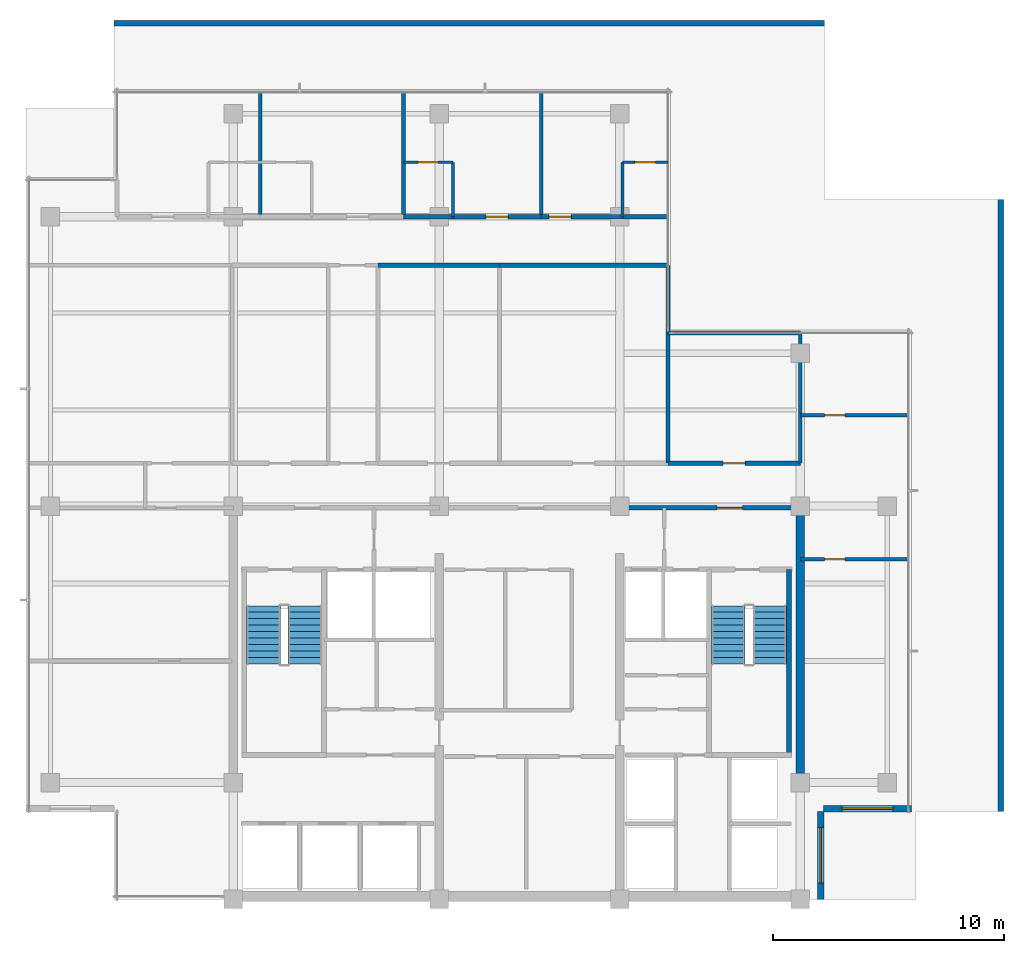
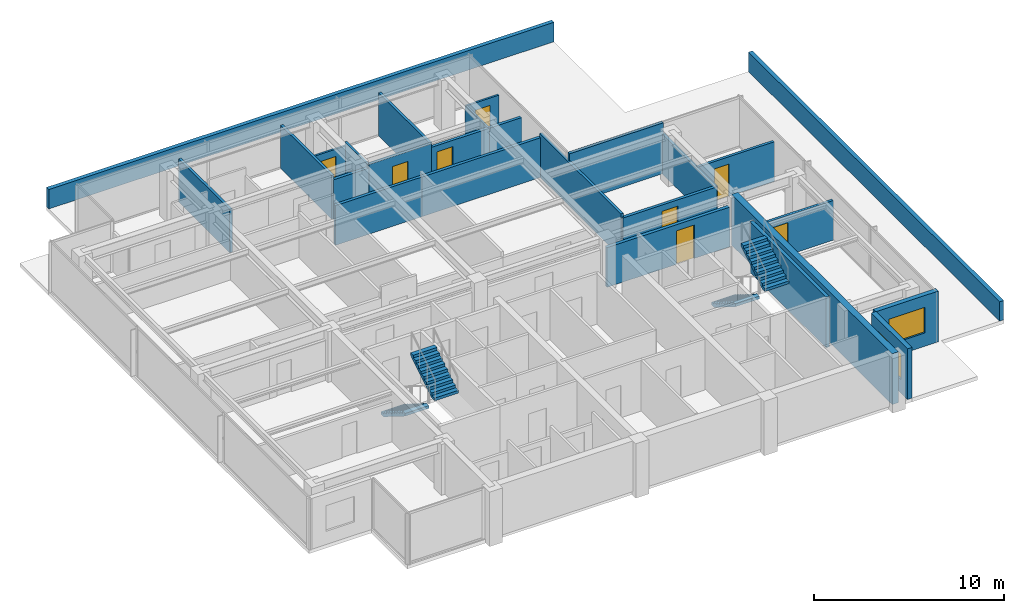
# One storey, part 8 of 11: 26 walls, 8 doors, 4 stair flights, 2 windows, 10 openings, 2 elements without a shape of their own.
"""IFC4 building model written with IfcOpenShell, lengths in metres."""

from ifc_helpers import new_model, si_unit, direction, frame, frame_2d, origin, place, context, subcontext, project, spatial, polyline, rectangle, outline, extrude, material, layer, layer_set, type_object, element, fill, aggregate, save


model = new_model("IFC4")

# Units and contexts
model_context = context("Model", 3, precision=1e-05, world=origin(), true_north=direction((0.0, 1.0)))
body_context = subcontext(model_context, "Body", "Model", "MODEL_VIEW")
ifc_project = project(units=[si_unit("LENGTHUNIT", "METRE"), si_unit("AREAUNIT", "SQUARE_METRE"), si_unit("VOLUMEUNIT", "CUBIC_METRE"), si_unit("PLANEANGLEUNIT", "RADIAN"), si_unit("MASSUNIT", "GRAM", prefix="KILO")], contexts=[model_context])

# Site, building, storey
site_placement = place(None, origin())
site = spatial("IfcSite", under=ifc_project, at=site_placement, CompositionType="ELEMENT")
building_placement = place(site_placement, origin())
building = spatial("IfcBuilding", under=site, at=building_placement, Name="Qalmaran Belvedere Hotel", CompositionType="ELEMENT")
storey_placement = place(building_placement, frame((0.0, 0.0, 238.89990234375)))
storey = spatial("IfcBuildingStorey", under=building, at=storey_placement, Name="L61", CompositionType="ELEMENT", Elevation=238.89990234375)

# Wall
ifc_material_1 = material(Name="Concrete C50/60", Category="concrete")
ifc_layer_1 = layer(ifc_material_1, 0.3798828125, Name="Concrete C50/60")
ifc_layer_set_1 = layer_set([ifc_layer_1], Name="Concrete C50/60")
wall_type_1 = type_object("IfcWallType", Name="WL-CORE-380-C50", PredefinedType="SHEAR", material=ifc_layer_set_1)
wall_1_placement = place(storey_placement, frame((44.800048828125, 3.5, 0.0), z_axis=(0.0, 0.0, 1.0), x_axis=(0.0, 1.0, 0.0)))
element("IfcWall", 1, at=wall_1_placement, inside=storey, type_object=wall_type_1, Name="L61 East Core Shear Wall", PredefinedType="SHEAR", context=body_context, shape_type="SweptSolid", body=[
    extrude(rectangle(XDim=16.89990234375, YDim=0.3798828125, at=frame_2d((8.449951171875, 0.0))), origin(), (0.0, 0.0, 1.0), 3.260009765625),
])

# Wall, opening, window
ifc_material_2 = material(Name="Anodised Bronze Cladding")
ifc_layer_2 = layer(ifc_material_2, 0.280029296875, Name="Anodised Bronze Cladding")
ifc_layer_set_2 = layer_set([ifc_layer_2], Name="Anodised Bronze Cladding")
wall_type_2 = type_object("IfcWallType", Name="WL-EXT-BRNZ-280", PredefinedType="SOLIDWALL", material=ifc_layer_set_2)
wall_2_placement = place(storey_placement, frame((45.679931640625, 3.5, 0.0), z_axis=(0.0, 0.0, 1.0), x_axis=(0.0, 1.0, 0.0)))
wall_2 = element("IfcWall", 2, at=wall_2_placement, inside=storey, type_object=wall_type_2, Name="L61 Corner Notch Wall 1", PredefinedType="SOLIDWALL", context=body_context, shape_type="SweptSolid", body=[
    extrude(rectangle(XDim=3.800048828125, YDim=0.280029296875, at=frame_2d((1.89990234375, 0.0))), origin(), (0.0, 0.0, 1.0), 3.260009765625),
])
opening_1_placement = place(wall_2_placement, frame((0.699951171875, 0.0, 0.85009765625)))
opening_1 = element("IfcOpeningElement", 3, at=opening_1_placement, cuts=wall_2, Name="Opening W-N24", PredefinedType="OPENING", context=body_context, shape_type="SweptSolid", body=[
    extrude(rectangle(XDim=2.39990234375, YDim=1.64990234375, at=frame_2d((1.199951171875, 0.824951171875))), frame((0.0, 0.14990234375, 0.0), z_axis=(0.0, -1.0, 0.0), x_axis=(1.0, 0.0, 0.0)), (0.0, 0.0, 1.0), 0.300048828125),
])
ifc_material_3 = material(Name="Solar-Control Double Glazing", Category="glass")
window_type_1 = type_object("IfcWindowType", Name="WN-NTC-2400X1650", PartitioningType="SINGLE_PANEL", PredefinedType="WINDOW", material=ifc_material_3)
window_1_placement = place(opening_1_placement, origin())
window_1 = element("IfcWindow", 4, at=window_1_placement, inside=storey, type_object=window_type_1, Name="L61 Corner Notch Window 1", OverallHeight=1.64990234375, OverallWidth=2.39990234375, PartitioningType="SINGLE_PANEL", PredefinedType="WINDOW", context=body_context, shape_type="SweptSolid", body=[
    extrude(rectangle(XDim=2.39990234375, YDim=1.64990234375, at=frame_2d((1.199951171875, 0.824951171875))), frame((0.0, 0.030029296875, 0.0), z_axis=(0.0, -1.0, 0.0), x_axis=(1.0, 0.0, 0.0)), (0.0, 0.0, 1.0), 0.06005859375),
])
fill(opening_1, window_1)

wall_3_placement = place(storey_placement, frame((45.800048828125, 7.419921875, 0.0), z_axis=(0.0, 0.0, 1.0), x_axis=(1.0, 0.0, 0.0)))
wall_3 = element("IfcWall", 5, at=wall_3_placement, inside=storey, type_object=wall_type_2, Name="L61 Corner Notch Wall 2", PredefinedType="SOLIDWALL", context=body_context, shape_type="SweptSolid", body=[
    extrude(rectangle(XDim=3.800048828125, YDim=0.280029296875, at=frame_2d((1.89990234375, 0.0))), origin(), (0.0, 0.0, 1.0), 3.260009765625),
])
opening_2_placement = place(wall_3_placement, frame((0.800048828125, 0.0, 0.85009765625)))
opening_2 = element("IfcOpeningElement", 6, at=opening_2_placement, cuts=wall_3, Name="Opening W-N22", PredefinedType="OPENING", context=body_context, shape_type="SweptSolid", body=[
    extrude(rectangle(XDim=2.199951171875, YDim=1.64990234375, at=frame_2d((1.10009765625, 0.824951171875))), frame((0.0, 0.14990234375, 0.0), z_axis=(0.0, -1.0, 0.0), x_axis=(1.0, 0.0, 0.0)), (0.0, 0.0, 1.0), 0.300048828125),
])
window_type_2 = type_object("IfcWindowType", Name="WN-NTC-2200X1650", PartitioningType="SINGLE_PANEL", PredefinedType="WINDOW", material=ifc_material_3)
window_2_placement = place(opening_2_placement, origin())
window_2 = element("IfcWindow", 7, at=window_2_placement, inside=storey, type_object=window_type_2, Name="L61 Corner Notch Window 2", OverallHeight=1.64990234375, OverallWidth=2.199951171875, PartitioningType="SINGLE_PANEL", PredefinedType="WINDOW", context=body_context, shape_type="SweptSolid", body=[
    extrude(rectangle(XDim=2.199951171875, YDim=1.64990234375, at=frame_2d((1.10009765625, 0.824951171875))), frame((0.0, 0.030029296875, 0.0), z_axis=(0.0, -1.0, 0.0), x_axis=(1.0, 0.0, 0.0)), (0.0, 0.0, 1.0), 0.06005859375),
])
fill(opening_2, window_2)

# Wall, opening, door
ifc_material_4 = material(Name="Moisture-Resistant Gypsum")
ifc_layer_3 = layer(ifc_material_4, 0.1201171875, Name="Moisture-Resistant Gypsum")
ifc_layer_set_3 = layer_set([ifc_layer_3], Name="Moisture-Resistant Gypsum")
wall_type_3 = type_object("IfcWallType", Name="WL-INT-120-BATH", PredefinedType="PARTITIONING", material=ifc_layer_set_3)
wall_4_placement = place(storey_placement, frame((27.651123046875, 35.35009765625, 0.0), z_axis=(0.0, 0.0, 1.0), x_axis=(1.0, 0.0, 0.0)))
wall_4 = element("IfcWall", 8, at=wall_4_placement, inside=storey, type_object=wall_type_3, Name="L61 Partition WL-L61-NBN02", PredefinedType="PARTITIONING", context=body_context, shape_type="SweptSolid", body=[
    extrude(rectangle(XDim=2.14013671875, YDim=0.1201171875, at=frame_2d((1.070068359375, 0.0))), origin(), (0.0, 0.0, 1.0), 2.550048828125),
])
opening_3_placement = place(wall_4_placement, frame((1.509765625, 0.0, 0.0), z_axis=(0.0, 0.0, 1.0), x_axis=(-1.0, 0.0, 0.0)))
opening_3 = element("IfcOpeningElement", 9, at=opening_3_placement, cuts=wall_4, Name="Opening D-BATH", PredefinedType="OPENING", context=body_context, shape_type="SweptSolid", body=[
    extrude(rectangle(XDim=0.8798828125, YDim=2.080078125, at=frame_2d((0.43994140625, 1.0400390625))), frame((0.0, 0.070068359375, 0.0), z_axis=(0.0, -1.0, 0.0), x_axis=(1.0, 0.0, 0.0)), (0.0, 0.0, 1.0), 0.14013671875),
])
ifc_material_5 = material(Name="Engineered Oak Veneer")
door_type_1 = type_object("IfcDoorType", Name="DR-INT-BATH-880X2080", OperationType="NOTDEFINED", PredefinedType="DOOR", material=ifc_material_5)
door_1_placement = place(opening_3_placement, origin())
door_1 = element("IfcDoor", 10, at=door_1_placement, inside=storey, type_object=door_type_1, Name="L61 Ensuite Bathroom Door N03", OperationType="SINGLE_SWING_LEFT", OverallHeight=2.080078125, OverallWidth=0.8798828125, PredefinedType="DOOR", context=body_context, shape_type="SweptSolid", body=[
    extrude(rectangle(XDim=0.8798828125, YDim=2.080078125, at=frame_2d((0.43994140625, 1.0400390625))), frame((0.0, 0.02490234375, 0.0), z_axis=(0.0, -1.0, 0.0), x_axis=(1.0, 0.0, 0.0)), (0.0, 0.0, 1.0), 0.050048828125),
])
fill(opening_3, door_1)

# Wall
wall_5_placement = place(storey_placement, frame((29.791259765625, 33.0, 0.0), z_axis=(0.0, 0.0, 1.0), x_axis=(0.0, 1.0, 0.0)))
element("IfcWall", 11, at=wall_5_placement, inside=storey, type_object=wall_type_3, Name="L61 Partition WL-L61-NBS02", PredefinedType="PARTITIONING", context=body_context, shape_type="SweptSolid", body=[
    extrude(rectangle(XDim=2.35009765625, YDim=0.1201171875, at=frame_2d((1.175048828125, 0.0))), origin(), (0.0, 0.0, 1.0), 2.781982421875),
])

# Wall, opening, door
wall_6_placement = place(storey_placement, frame((37.110107421875, 35.35009765625, 0.0), z_axis=(0.0, 0.0, 1.0), x_axis=(1.0, 0.0, 0.0)))
wall_6 = element("IfcWall", 12, at=wall_6_placement, inside=storey, type_object=wall_type_3, Name="L61 Partition WL-L61-NBN03", PredefinedType="PARTITIONING", context=body_context, shape_type="SweptSolid", body=[
    extrude(rectangle(XDim=1.969970703125, YDim=0.1201171875, at=frame_2d((0.98486328125, 0.0))), origin(), (0.0, 0.0, 1.0), 2.550048828125),
])
opening_4_placement = place(wall_6_placement, frame((1.4248046875, 0.0, 0.0), z_axis=(0.0, 0.0, 1.0), x_axis=(-1.0, 0.0, 0.0)))
opening_4 = element("IfcOpeningElement", 13, at=opening_4_placement, cuts=wall_6, Name="Opening D-BATH", PredefinedType="OPENING", context=body_context, shape_type="SweptSolid", body=[
    extrude(rectangle(XDim=0.8798828125, YDim=2.080078125, at=frame_2d((0.43994140625, 1.0400390625))), frame((0.0, 0.070068359375, 0.0), z_axis=(0.0, -1.0, 0.0), x_axis=(1.0, 0.0, 0.0)), (0.0, 0.0, 1.0), 0.14013671875),
])
door_2_placement = place(opening_4_placement, origin())
door_2 = element("IfcDoor", 14, at=door_2_placement, inside=storey, type_object=door_type_1, Name="L61 Ensuite Bathroom Door N04", OperationType="SINGLE_SWING_LEFT", OverallHeight=2.080078125, OverallWidth=0.8798828125, PredefinedType="DOOR", context=body_context, shape_type="SweptSolid", body=[
    extrude(rectangle(XDim=0.8798828125, YDim=2.080078125, at=frame_2d((0.43994140625, 1.0400390625))), frame((0.0, 0.02490234375, 0.0), z_axis=(0.0, -1.0, 0.0), x_axis=(1.0, 0.0, 0.0)), (0.0, 0.0, 1.0), 0.050048828125),
])
fill(opening_4, door_2)

# Wall
wall_7_placement = place(storey_placement, frame((37.110107421875, 33.0, 0.0), z_axis=(0.0, 0.0, 1.0), x_axis=(0.0, 1.0, 0.0)))
element("IfcWall", 15, at=wall_7_placement, inside=storey, type_object=wall_type_3, Name="L61 Partition WL-L61-NBS03", PredefinedType="PARTITIONING", context=body_context, shape_type="SweptSolid", body=[
    extrude(rectangle(XDim=2.35009765625, YDim=0.1201171875, at=frame_2d((1.175048828125, 0.0))), origin(), (0.0, 0.0, 1.0), 2.550048828125),
])

# Wall, opening, door
ifc_material_6 = material(Name="Gypsum Stud Partition")
ifc_layer_4 = layer(ifc_material_6, 0.159912109375, Name="Gypsum Stud Partition")
ifc_layer_set_4 = layer_set([ifc_layer_4], Name="Gypsum Stud Partition")
wall_type_4 = type_object("IfcWallType", Name="WL-INT-160-EI60", PredefinedType="PARTITIONING", material=ifc_layer_set_4)
wall_8_placement = place(storey_placement, frame((44.800048828125, 18.199951171875, 0.0), z_axis=(0.0, 0.0, 1.0), x_axis=(1.0, 0.0, 0.0)))
wall_8 = element("IfcWall", 16, at=wall_8_placement, inside=storey, type_object=wall_type_4, Name="L61 Partition WL-L61-C4EES", PredefinedType="PARTITIONING", context=body_context, shape_type="SweptSolid", body=[
    extrude(rectangle(XDim=4.679931640625, YDim=0.159912109375, at=frame_2d((2.33984375, 0.0))), origin(), (0.0, 0.0, 1.0), 2.550048828125),
])
opening_5_placement = place(wall_8_placement, frame((1.929931640625, 0.0, 0.0), z_axis=(0.0, 0.0, 1.0), x_axis=(-1.0, 0.0, 0.0)))
opening_5 = element("IfcOpeningElement", 17, at=opening_5_placement, cuts=wall_8, Name="Opening FD60B", PredefinedType="OPENING", context=body_context, shape_type="SweptSolid", body=[
    extrude(rectangle(XDim=0.8798828125, YDim=2.080078125, at=frame_2d((0.43994140625, 1.0400390625))), frame((0.0, 0.08984375, 0.0), z_axis=(0.0, -1.0, 0.0), x_axis=(1.0, 0.0, 0.0)), (0.0, 0.0, 1.0), 0.179931640625),
])
ifc_material_7 = material(Name="Steel S355JR", Category="steel")
door_type_2 = type_object("IfcDoorType", Name="DR-FD60B-880X2080", OperationType="NOTDEFINED", PredefinedType="DOOR", material=ifc_material_7)
door_3_placement = place(opening_5_placement, origin())
door_3 = element("IfcDoor", 18, at=door_3_placement, inside=storey, type_object=door_type_2, Name="L61 East Reading Door", OperationType="SINGLE_SWING_LEFT", OverallHeight=2.080078125, OverallWidth=0.8798828125, PredefinedType="DOOR", context=body_context, shape_type="SweptSolid", body=[
    extrude(rectangle(XDim=0.8798828125, YDim=2.080078125, at=frame_2d((0.43994140625, 1.0400390625))), frame((0.0, 0.02490234375, 0.0), z_axis=(0.0, -1.0, 0.0), x_axis=(1.0, 0.0, 0.0)), (0.0, 0.0, 1.0), 0.050048828125),
])
fill(opening_5, door_3)

wall_9_placement = place(storey_placement, frame((44.800048828125, 24.419921875, 0.0), z_axis=(0.0, 0.0, 1.0), x_axis=(1.0, 0.0, 0.0)))
wall_9 = element("IfcWall", 19, at=wall_9_placement, inside=storey, type_object=wall_type_4, Name="L61 Partition WL-L61-C4EEN", PredefinedType="PARTITIONING", context=body_context, shape_type="SweptSolid", body=[
    extrude(rectangle(XDim=4.679931640625, YDim=0.159912109375, at=frame_2d((2.33984375, 0.0))), origin(), (0.0, 0.0, 1.0), 2.550048828125),
])
opening_6_placement = place(wall_9_placement, frame((1.050048828125, 0.0, 0.0)))
opening_6 = element("IfcOpeningElement", 20, at=opening_6_placement, cuts=wall_9, Name="Opening FD60B", PredefinedType="OPENING", context=body_context, shape_type="SweptSolid", body=[
    extrude(rectangle(XDim=0.8798828125, YDim=2.080078125, at=frame_2d((0.43994140625, 1.0400390625))), frame((0.0, 0.08984375, 0.0), z_axis=(0.0, -1.0, 0.0), x_axis=(1.0, 0.0, 0.0)), (0.0, 0.0, 1.0), 0.179931640625),
])
door_4_placement = place(opening_6_placement, origin())
door_4 = element("IfcDoor", 21, at=door_4_placement, inside=storey, type_object=door_type_2, Name="L61 East Study Door", OperationType="SINGLE_SWING_RIGHT", OverallHeight=2.080078125, OverallWidth=0.8798828125, PredefinedType="DOOR", context=body_context, shape_type="SweptSolid", body=[
    extrude(rectangle(XDim=0.8798828125, YDim=2.080078125, at=frame_2d((0.43994140625, 1.0400390625))), frame((0.0, 0.02490234375, 0.0), z_axis=(0.0, -1.0, 0.0), x_axis=(1.0, 0.0, 0.0)), (0.0, 0.0, 1.0), 0.050048828125),
])
fill(opening_6, door_4)

# Walls
wall_10_placement = place(storey_placement, frame((39.080078125, 22.35009765625, 0.0), z_axis=(0.0, 0.0, 1.0), x_axis=(0.0, 1.0, 0.0)))
element("IfcWall", 22, at=wall_10_placement, inside=storey, type_object=wall_type_4, Name="L61 Partition WL-L61-C4MEVR2", PredefinedType="PARTITIONING", context=body_context, shape_type="SweptSolid", body=[
    extrude(rectangle(XDim=8.5498046875, YDim=0.159912109375, at=frame_2d((4.27490234375, 0.0))), origin(), (0.0, 0.0, 1.0), 2.781982421875),
])
wall_11_placement = place(storey_placement, frame((44.800048828125, 22.35009765625, 0.0), z_axis=(0.0, 0.0, 1.0), x_axis=(0.0, 1.0, 0.0)))
element("IfcWall", 23, at=wall_11_placement, inside=storey, type_object=wall_type_4, Name="L61 Partition WL-L61-C4MFVR1", PredefinedType="PARTITIONING", context=body_context, shape_type="SweptSolid", body=[
    extrude(rectangle(XDim=5.6298828125, YDim=0.159912109375, at=frame_2d((2.81494140625, 0.0))), origin(), (0.0, 0.0, 1.0), 2.550048828125),
])
for number, where, z_axis, x_axis, name in (
    (24, (21.460693359375, 33.0, 0.0), (0.0, 0.0, 1.0), (0.0, 1.0, 0.0), "L61 Partition WL-L61-NUR00"),
    (25, (27.651123046875, 33.0, 0.0), (0.0, 0.0, 1.0), (0.0, 1.0, 0.0), "L61 Partition WL-L61-NUR01"),
    (26, (33.603759765625, 33.0, 0.0), (0.0, 0.0, 1.0), (0.0, 1.0, 0.0), "L61 Partition WL-L61-NUR02"),
):
    element("IfcWall", number, at=place(storey_placement, frame(where, z_axis=z_axis, x_axis=x_axis)), inside=storey, type_object=wall_type_4, Name=name, PredefinedType="PARTITIONING", context=body_context, shape_type="SweptSolid", body=[
        extrude(rectangle(XDim=5.3798828125, YDim=0.159912109375, at=frame_2d((2.68994140625, 0.0))), origin(), (0.0, 0.0, 1.0), 2.781982421875),
    ])
ifc_layer_5 = layer(ifc_material_6, 0.179931640625, Name="Gypsum Stud Partition")
ifc_layer_set_5 = layer_set([ifc_layer_5], Name="Gypsum Stud Partition")
wall_type_5 = type_object("IfcWallType", Name="WL-INT-180-EI60", PredefinedType="PARTITIONING", material=ifc_layer_set_5)
wall_12_placement = place(storey_placement, frame((26.550048828125, 30.89990234375, 0.0), z_axis=(0.0, 0.0, 1.0), x_axis=(1.0, 0.0, 0.0)))
element("IfcWall", 27, at=wall_12_placement, inside=storey, type_object=wall_type_5, Name="L61 Partition WL-L61-C4MEO1", PredefinedType="PARTITIONING", context=body_context, shape_type="SweptSolid", body=[
    extrude(rectangle(XDim=5.25, YDim=0.179931640625, at=frame_2d((2.625, 0.0))), origin(), (0.0, 0.0, 1.0), 2.550048828125),
])
wall_13_placement = place(storey_placement, frame((31.800048828125, 30.89990234375, 0.0), z_axis=(0.0, 0.0, 1.0), x_axis=(1.0, 0.0, 0.0)))
element("IfcWall", 28, at=wall_13_placement, inside=storey, type_object=wall_type_5, Name="L61 Partition WL-L61-C4MEO2", PredefinedType="PARTITIONING", context=body_context, shape_type="SweptSolid", body=[
    extrude(rectangle(XDim=7.280029296875, YDim=0.179931640625, at=frame_2d((3.64013671875, 0.0))), origin(), (0.0, 0.0, 1.0), 2.550048828125),
])

# Wall, opening, door
wall_14_placement = place(storey_placement, frame((39.080078125, 22.35009765625, 0.0), z_axis=(0.0, 0.0, 1.0), x_axis=(1.0, 0.0, 0.0)))
wall_14 = element("IfcWall", 29, at=wall_14_placement, inside=storey, type_object=wall_type_5, Name="L61 Partition WL-L61-C4MFD1", PredefinedType="PARTITIONING", context=body_context, shape_type="SweptSolid", body=[
    extrude(rectangle(XDim=5.719970703125, YDim=0.179931640625, at=frame_2d((2.85986328125, 0.0))), origin(), (0.0, 0.0, 1.0), 2.550048828125),
])
opening_7_placement = place(wall_14_placement, frame((2.385009765625, 0.0, 0.0)))
opening_7 = element("IfcOpeningElement", 30, at=opening_7_placement, cuts=wall_14, Name="Opening FD60", PredefinedType="OPENING", context=body_context, shape_type="SweptSolid", body=[
    extrude(rectangle(XDim=0.949951171875, YDim=2.14990234375, at=frame_2d((0.47509765625, 1.074951171875))), frame((0.0, 0.10009765625, 0.0), z_axis=(0.0, -1.0, 0.0), x_axis=(1.0, 0.0, 0.0)), (0.0, 0.0, 1.0), 0.199951171875),
])
door_type_3 = type_object("IfcDoorType", Name="DR-FD60-950X2150", OperationType="NOTDEFINED", PredefinedType="DOOR", material=ifc_material_5)
door_5_placement = place(opening_7_placement, origin())
door_5 = element("IfcDoor", 31, at=door_5_placement, inside=storey, type_object=door_type_3, Name="L61 Tea Lounge Door", OperationType="SINGLE_SWING_RIGHT", OverallHeight=2.14990234375, OverallWidth=0.949951171875, PredefinedType="DOOR", context=body_context, shape_type="SweptSolid", body=[
    extrude(rectangle(XDim=0.949951171875, YDim=2.14990234375, at=frame_2d((0.47509765625, 1.074951171875))), frame((0.0, 0.02490234375, 0.0), z_axis=(0.0, -1.0, 0.0), x_axis=(1.0, 0.0, 0.0)), (0.0, 0.0, 1.0), 0.050048828125),
])
fill(opening_7, door_5)

# Walls
wall_15_placement = place(storey_placement, frame((39.080078125, 27.97998046875, 0.0), z_axis=(0.0, 0.0, 1.0), x_axis=(1.0, 0.0, 0.0)))
element("IfcWall", 32, at=wall_15_placement, inside=storey, type_object=wall_type_5, Name="L61 Partition WL-L61-C4MFO1", PredefinedType="PARTITIONING", context=body_context, shape_type="SweptSolid", body=[
    extrude(rectangle(XDim=5.719970703125, YDim=0.179931640625, at=frame_2d((2.85986328125, 0.0))), origin(), (0.0, 0.0, 1.0), 3.260009765625),
])
wall_16_placement = place(storey_placement, frame((27.651123046875, 33.0, 0.0), z_axis=(0.0, 0.0, 1.0), x_axis=(1.0, 0.0, 0.0)))
element("IfcWall", 33, at=wall_16_placement, inside=storey, type_object=wall_type_5, Name="L61 Partition WL-L61-NBC02", PredefinedType="PARTITIONING", context=body_context, shape_type="SweptSolid", body=[
    extrude(rectangle(XDim=2.14013671875, YDim=0.179931640625, at=frame_2d((1.070068359375, 0.0))), origin(), (0.0, 0.0, 1.0), 2.550048828125),
])

# Wall, opening, door
wall_17_placement = place(storey_placement, frame((29.791259765625, 33.0, 0.0), z_axis=(0.0, 0.0, 1.0), x_axis=(1.0, 0.0, 0.0)))
wall_17 = element("IfcWall", 34, at=wall_17_placement, inside=storey, type_object=wall_type_5, Name="L61 Partition WL-L61-NEC02", PredefinedType="PARTITIONING", context=body_context, shape_type="SweptSolid", body=[
    extrude(rectangle(XDim=3.8125, YDim=0.179931640625, at=frame_2d((1.90625, 0.0))), origin(), (0.0, 0.0, 1.0), 2.781982421875),
])
opening_8_placement = place(wall_17_placement, frame((1.431396484375, 0.0, 0.0)))
opening_8 = element("IfcOpeningElement", 35, at=opening_8_placement, cuts=wall_17, Name="Opening FD60", PredefinedType="OPENING", context=body_context, shape_type="SweptSolid", body=[
    extrude(rectangle(XDim=0.949951171875, YDim=2.14990234375, at=frame_2d((0.47509765625, 1.074951171875))), frame((0.0, 0.10009765625, 0.0), z_axis=(0.0, -1.0, 0.0), x_axis=(1.0, 0.0, 0.0)), (0.0, 0.0, 1.0), 0.199951171875),
])
door_6_placement = place(opening_8_placement, origin())
door_6 = element("IfcDoor", 36, at=door_6_placement, inside=storey, type_object=door_type_3, Name="L61 Guest Entrance Door N03", OperationType="SINGLE_SWING_RIGHT", OverallHeight=2.14990234375, OverallWidth=0.949951171875, PredefinedType="DOOR", context=body_context, shape_type="SweptSolid", body=[
    extrude(rectangle(XDim=0.949951171875, YDim=2.14990234375, at=frame_2d((0.47509765625, 1.074951171875))), frame((0.0, 0.02490234375, 0.0), z_axis=(0.0, -1.0, 0.0), x_axis=(1.0, 0.0, 0.0)), (0.0, 0.0, 1.0), 0.050048828125),
])
fill(opening_8, door_6)

# Wall
wall_18_placement = place(storey_placement, frame((37.110107421875, 33.0, 0.0), z_axis=(0.0, 0.0, 1.0), x_axis=(1.0, 0.0, 0.0)))
element("IfcWall", 37, at=wall_18_placement, inside=storey, type_object=wall_type_5, Name="L61 Partition WL-L61-NBC03", PredefinedType="PARTITIONING", context=body_context, shape_type="SweptSolid", body=[
    extrude(rectangle(XDim=1.969970703125, YDim=0.179931640625, at=frame_2d((0.98486328125, 0.0))), origin(), (0.0, 0.0, 1.0), 2.550048828125),
])

# Wall, opening, door
wall_19_placement = place(storey_placement, frame((33.603759765625, 33.0, 0.0), z_axis=(0.0, 0.0, 1.0), x_axis=(1.0, 0.0, 0.0)))
wall_19 = element("IfcWall", 38, at=wall_19_placement, inside=storey, type_object=wall_type_5, Name="L61 Partition WL-L61-NEC03", PredefinedType="PARTITIONING", context=body_context, shape_type="SweptSolid", body=[
    extrude(rectangle(XDim=3.50634765625, YDim=0.179931640625, at=frame_2d((1.753173828125, 0.0))), origin(), (0.0, 0.0, 1.0), 2.550048828125),
])
opening_9_placement = place(wall_19_placement, frame((0.337646484375, 0.0, 0.0)))
opening_9 = element("IfcOpeningElement", 39, at=opening_9_placement, cuts=wall_19, Name="Opening FD60", PredefinedType="OPENING", context=body_context, shape_type="SweptSolid", body=[
    extrude(rectangle(XDim=0.949951171875, YDim=2.14990234375, at=frame_2d((0.47509765625, 1.074951171875))), frame((0.0, 0.10009765625, 0.0), z_axis=(0.0, -1.0, 0.0), x_axis=(1.0, 0.0, 0.0)), (0.0, 0.0, 1.0), 0.199951171875),
])
door_7_placement = place(opening_9_placement, origin())
door_7 = element("IfcDoor", 40, at=door_7_placement, inside=storey, type_object=door_type_3, Name="L61 Guest Entrance Door N04", OperationType="SINGLE_SWING_RIGHT", OverallHeight=2.14990234375, OverallWidth=0.949951171875, PredefinedType="DOOR", context=body_context, shape_type="SweptSolid", body=[
    extrude(rectangle(XDim=0.949951171875, YDim=2.14990234375, at=frame_2d((0.47509765625, 1.074951171875))), frame((0.0, 0.02490234375, 0.0), z_axis=(0.0, -1.0, 0.0), x_axis=(1.0, 0.0, 0.0)), (0.0, 0.0, 1.0), 0.050048828125),
])
fill(opening_9, door_7)

ifc_material_8 = material(Name="Concrete C30/37 Blockwork", Category="masonry")
ifc_layer_6 = layer(ifc_material_8, 0.199951171875, Name="Concrete C30/37 Blockwork")
ifc_layer_set_6 = layer_set([ifc_layer_6], Name="Concrete C30/37 Blockwork")
wall_type_6 = type_object("IfcWallType", Name="WL-INT-200-EI120", PredefinedType="PARTITIONING", material=ifc_layer_set_6)
wall_20_placement = place(storey_placement, frame((37.0, 20.419921875, 0.0), z_axis=(0.0, 0.0, 1.0), x_axis=(1.0, 0.0, 0.0)))
wall_20 = element("IfcWall", 41, at=wall_20_placement, inside=storey, type_object=wall_type_6, Name="L61 Partition WL-CN3-L61", PredefinedType="PARTITIONING", context=body_context, shape_type="SweptSolid", body=[
    extrude(rectangle(XDim=7.449951171875, YDim=0.199951171875, at=frame_2d((3.72509765625, 0.0))), origin(), (0.0, 0.0, 1.0), 2.550048828125),
])
opening_10_placement = place(wall_20_placement, frame((4.199951171875, 0.0, 0.0)))
opening_10 = element("IfcOpeningElement", 42, at=opening_10_placement, cuts=wall_20, Name="Opening FD90", PredefinedType="OPENING", context=body_context, shape_type="SweptSolid", body=[
    extrude(rectangle(XDim=1.10009765625, YDim=2.14990234375, at=frame_2d((0.550048828125, 1.074951171875))), frame((0.0, 0.10986328125, 0.0), z_axis=(0.0, -1.0, 0.0), x_axis=(1.0, 0.0, 0.0)), (0.0, 0.0, 1.0), 0.219970703125),
])
door_type_4 = type_object("IfcDoorType", Name="DR-FD90-1100X2150", OperationType="NOTDEFINED", PredefinedType="DOOR", material=ifc_material_7)
door_8_placement = place(opening_10_placement, origin())
door_8 = element("IfcDoor", 43, at=door_8_placement, inside=storey, type_object=door_type_4, Name="L61 FF2 Lobby Corridor Door", OperationType="SINGLE_SWING_LEFT", OverallHeight=2.14990234375, OverallWidth=1.10009765625, PredefinedType="DOOR", context=body_context, shape_type="SweptSolid", body=[
    extrude(rectangle(XDim=1.10009765625, YDim=2.14990234375, at=frame_2d((0.550048828125, 1.074951171875))), frame((0.0, 0.02490234375, 0.0), z_axis=(0.0, -1.0, 0.0), x_axis=(1.0, 0.0, 0.0)), (0.0, 0.0, 1.0), 0.050048828125),
])
fill(opening_10, door_8)

# Walls
ifc_material_9 = material(Name="Concrete C40/50", Category="concrete")
ifc_layer_7 = layer(ifc_material_9, 0.239990234375, Name="Concrete C40/50")
ifc_layer_set_7 = layer_set([ifc_layer_7], Name="Concrete C40/50")
wall_type_7 = type_object("IfcWallType", Name="WL-PARAPET-240", PredefinedType="PARAPET", material=ifc_layer_set_7)
wall_21_placement = place(storey_placement, frame((53.4599609375, 7.300048828125, 0.0), z_axis=(0.0, 0.0, 1.0), x_axis=(0.0, 1.0, 0.0)))
element("IfcWall", 44, at=wall_21_placement, inside=storey, type_object=wall_type_7, Name="L61 Roof Parapet 4", PredefinedType="PARAPET", context=body_context, shape_type="SweptSolid", body=[
    extrude(rectangle(XDim=26.449951171875, YDim=0.239990234375, at=frame_2d((13.22509765625, 0.0))), origin(), (0.0, 0.0, 1.0), 1.25),
])
wall_22_placement = place(storey_placement, frame((45.85009765625, 41.360107421875, 0.0), z_axis=(0.0, 0.0, 1.0), x_axis=(-1.0, 0.0, 0.0)))
element("IfcWall", 45, at=wall_22_placement, inside=storey, type_object=wall_type_7, Name="L61 Roof Parapet 7", PredefinedType="PARAPET", context=body_context, shape_type="SweptSolid", body=[
    extrude(rectangle(XDim=30.7001953125, YDim=0.239990234375, at=frame_2d((15.35009765625, 0.0))), origin(), (0.0, 0.0, 1.0), 1.25),
])
ifc_layer_8 = layer(ifc_material_1, 0.2099609375, Name="Concrete C50/60")
ifc_layer_set_8 = layer_set([ifc_layer_8], Name="Concrete C50/60")
wall_type_8 = type_object("IfcWallType", Name="WL-STAIR-210-C50", PredefinedType="SHEAR", material=ifc_layer_set_8)
wall_23_placement = place(storey_placement, frame((44.304931640625, 9.7451171875, 0.0), z_axis=(0.0, 0.0, 1.0), x_axis=(0.0, 1.0, 0.0)))
element("IfcWall", 46, at=wall_23_placement, inside=storey, type_object=wall_type_8, Name="L61 Stair ST-2 East Bearing Wall", PredefinedType="SHEAR", context=body_context, shape_type="SweptSolid", body=[
    extrude(rectangle(XDim=8.009765625, YDim=0.2099609375, at=frame_2d((4.0048828125, 0.0))), origin(), (0.0, 0.0, 1.0), 3.260009765625),
])

# Stair, stair flights
stair_type_1 = type_object("IfcStairType", Name="STR-ST-1-1450-R1750", PredefinedType="HALF_TURN_STAIR", material=ifc_material_9)
stair_1_placement = place(storey_placement, origin())
stair_1 = element("IfcStair", 47, at=stair_1_placement, inside=storey, type_object=stair_type_1, Name="L61 West Core Exit Stair ST-1", PredefinedType="HALF_TURN_STAIR")
ifc_layer_9 = layer(ifc_material_9, 0.14990234375, Name="Concrete C40/50")
ifc_layer_set_9 = layer_set([ifc_layer_9], Name="Concrete C40/50")
stair_flight_type_1 = type_object("IfcStairFlightType", Name="STF-ST-1-1450-R1750", PredefinedType="STRAIGHT", material=ifc_layer_set_9)
stair_flight_1_placement = place(storey_placement, frame((21.60498046875, 16.18994140625, 0.0), z_axis=(0.0, 0.0, 1.0), x_axis=(0.0, -1.0, 0.0)))
stair_flight_1 = element("IfcStairFlight", 48, at=stair_flight_1_placement, type_object=stair_flight_type_1, Name="ST-1 flight 1", NumberOfRisers=10, NumberOfTreads=9, PredefinedType="STRAIGHT", RiserHeight=0.175, TreadLength=0.28, context=body_context, shape_type="SweptSolid", body=[
    extrude(outline(polyline([(0.0, 0.0), (0.0, 0.175048828125), (0.280029296875, 0.175048828125), (0.280029296875, 0.35009765625), (0.56005859375, 0.35009765625), (0.56005859375, 0.52490234375), (0.840087890625, 0.52490234375), (0.840087890625, 0.699951171875), (1.1201171875, 0.699951171875), (1.1201171875, 0.875), (1.39990234375, 0.875), (1.39990234375, 1.050048828125), (1.679931640625, 1.050048828125), (1.679931640625, 1.22509765625), (1.9599609375, 1.22509765625), (1.9599609375, 1.39990234375), (2.239990234375, 1.39990234375), (2.239990234375, 1.574951171875), (2.52001953125, 1.574951171875), (2.52001953125, 1.75), (2.52001953125, 1.398193359375), (0.28271484375, 0.0), (0.0, 0.0)])), frame((0.0, 0.72509765625, 0.0), z_axis=(0.0, -1.0, 0.0), x_axis=(1.0, 0.0, 0.0)), (0.0, 0.0, 1.0), 1.449951171875),
])
stair_flight_2_placement = place(storey_placement, frame((23.39501953125, 13.669921875, 1.75), z_axis=(0.0, 0.0, 1.0), x_axis=(0.0, 1.0, 0.0)))
stair_flight_2 = element("IfcStairFlight", 49, at=stair_flight_2_placement, type_object=stair_flight_type_1, Name="ST-1 flight 2", NumberOfRisers=10, NumberOfTreads=9, PredefinedType="STRAIGHT", RiserHeight=0.175, TreadLength=0.28, context=body_context, shape_type="SweptSolid", body=[
    extrude(outline(polyline([(0.0, 0.0), (0.0, 0.175048828125), (0.280029296875, 0.175048828125), (0.280029296875, 0.35009765625), (0.56005859375, 0.35009765625), (0.56005859375, 0.52490234375), (0.840087890625, 0.52490234375), (0.840087890625, 0.699951171875), (1.1201171875, 0.699951171875), (1.1201171875, 0.875), (1.39990234375, 0.875), (1.39990234375, 1.050048828125), (1.679931640625, 1.050048828125), (1.679931640625, 1.22509765625), (1.9599609375, 1.22509765625), (1.9599609375, 1.39990234375), (2.239990234375, 1.39990234375), (2.239990234375, 1.574951171875), (2.52001953125, 1.574951171875), (2.52001953125, 1.75), (2.52001953125, 1.398193359375), (0.28271484375, 0.0), (0.0, 0.0)])), frame((0.0, 0.72509765625, 0.0), z_axis=(0.0, -1.0, 0.0), x_axis=(1.0, 0.0, 0.0)), (0.0, 0.0, 1.0), 1.449951171875),
])
aggregate(stair_1, [stair_flight_1, stair_flight_2])

stair_type_2 = type_object("IfcStairType", Name="STR-ST-2-1450-R1750", PredefinedType="HALF_TURN_STAIR", material=ifc_material_9)
stair_2_placement = place(storey_placement, origin())
stair_2 = element("IfcStair", 50, at=stair_2_placement, inside=storey, type_object=stair_type_2, Name="L61 East Core Exit Stair ST-2", PredefinedType="HALF_TURN_STAIR")
ifc_layer_10 = layer(ifc_material_9, 0.14990234375, Name="Concrete C40/50")
ifc_layer_set_10 = layer_set([ifc_layer_10], Name="Concrete C40/50")
stair_flight_type_2 = type_object("IfcStairFlightType", Name="STF-ST-2-1450-R1750", PredefinedType="STRAIGHT", material=ifc_layer_set_10)
stair_flight_3_placement = place(storey_placement, frame((41.68505859375, 16.18994140625, 0.0), z_axis=(0.0, 0.0, 1.0), x_axis=(0.0, -1.0, 0.0)))
stair_flight_3 = element("IfcStairFlight", 51, at=stair_flight_3_placement, type_object=stair_flight_type_2, Name="ST-2 flight 1", NumberOfRisers=10, NumberOfTreads=9, PredefinedType="STRAIGHT", RiserHeight=0.175, TreadLength=0.28, context=body_context, shape_type="SweptSolid", body=[
    extrude(outline(polyline([(0.0, 0.0), (0.0, 0.175048828125), (0.280029296875, 0.175048828125), (0.280029296875, 0.35009765625), (0.56005859375, 0.35009765625), (0.56005859375, 0.52490234375), (0.840087890625, 0.52490234375), (0.840087890625, 0.699951171875), (1.1201171875, 0.699951171875), (1.1201171875, 0.875), (1.39990234375, 0.875), (1.39990234375, 1.050048828125), (1.679931640625, 1.050048828125), (1.679931640625, 1.22509765625), (1.9599609375, 1.22509765625), (1.9599609375, 1.39990234375), (2.239990234375, 1.39990234375), (2.239990234375, 1.574951171875), (2.52001953125, 1.574951171875), (2.52001953125, 1.75), (2.52001953125, 1.398193359375), (0.28271484375, 0.0), (0.0, 0.0)])), frame((0.0, 0.72509765625, 0.0), z_axis=(0.0, -1.0, 0.0), x_axis=(1.0, 0.0, 0.0)), (0.0, 0.0, 1.0), 1.449951171875),
])
stair_flight_4_placement = place(storey_placement, frame((43.47509765625, 13.669921875, 1.75), z_axis=(0.0, 0.0, 1.0), x_axis=(0.0, 1.0, 0.0)))
stair_flight_4 = element("IfcStairFlight", 52, at=stair_flight_4_placement, type_object=stair_flight_type_2, Name="ST-2 flight 2", NumberOfRisers=10, NumberOfTreads=9, PredefinedType="STRAIGHT", RiserHeight=0.175, TreadLength=0.28, context=body_context, shape_type="SweptSolid", body=[
    extrude(outline(polyline([(0.0, 0.0), (0.0, 0.175048828125), (0.280029296875, 0.175048828125), (0.280029296875, 0.35009765625), (0.56005859375, 0.35009765625), (0.56005859375, 0.52490234375), (0.840087890625, 0.52490234375), (0.840087890625, 0.699951171875), (1.1201171875, 0.699951171875), (1.1201171875, 0.875), (1.39990234375, 0.875), (1.39990234375, 1.050048828125), (1.679931640625, 1.050048828125), (1.679931640625, 1.22509765625), (1.9599609375, 1.22509765625), (1.9599609375, 1.39990234375), (2.239990234375, 1.39990234375), (2.239990234375, 1.574951171875), (2.52001953125, 1.574951171875), (2.52001953125, 1.75), (2.52001953125, 1.398193359375), (0.28271484375, 0.0), (0.0, 0.0)])), frame((0.0, 0.72509765625, 0.0), z_axis=(0.0, -1.0, 0.0), x_axis=(1.0, 0.0, 0.0)), (0.0, 0.0, 1.0), 1.449951171875),
])
aggregate(stair_2, [stair_flight_3, stair_flight_4])

save(model, "model.ifc")
